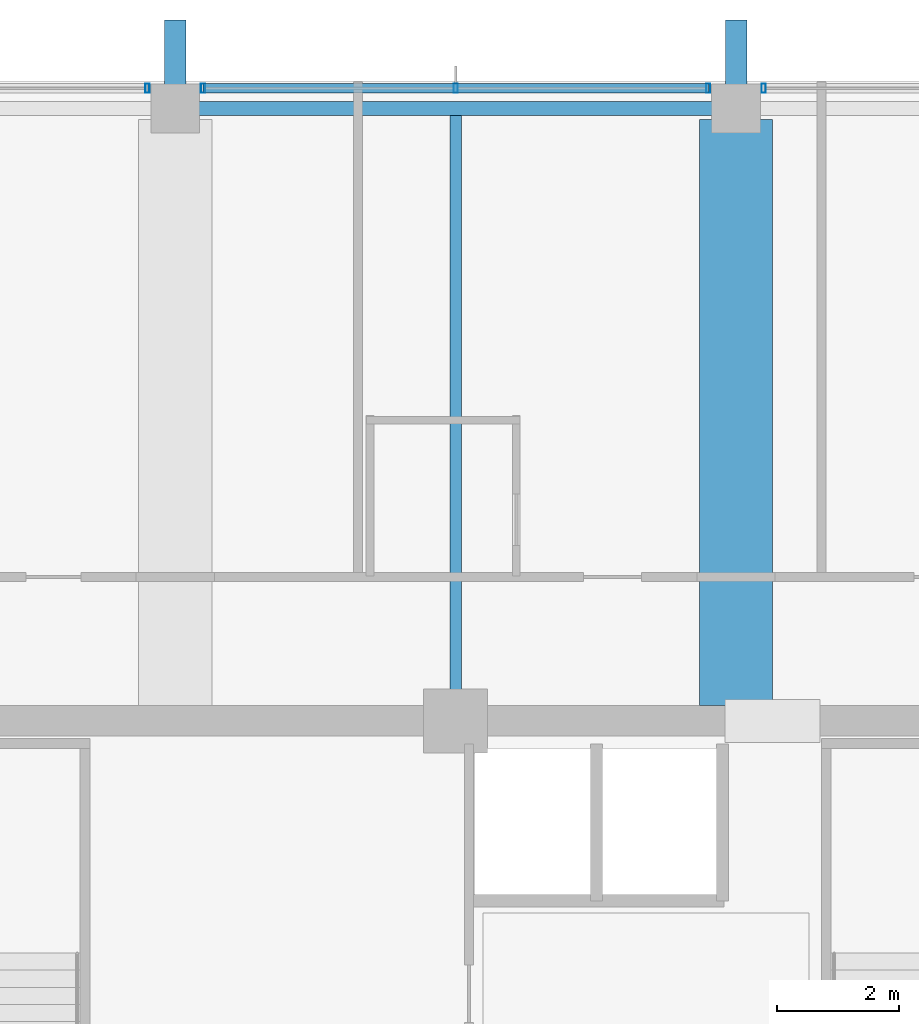
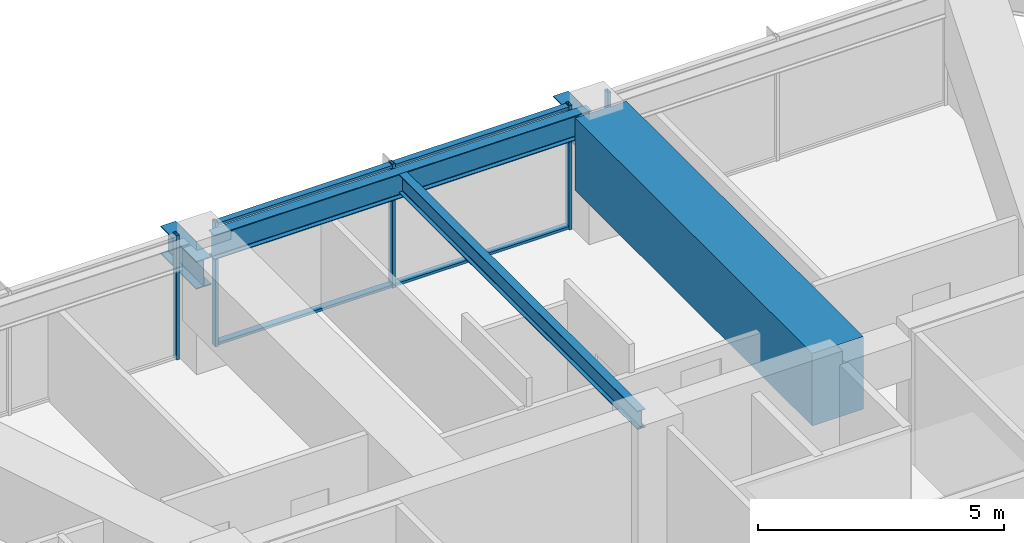
# One storey, part 19 of 35: 7 members, 5 beams, 3 elements without a shape of their own.
"""IFC4 building model written with IfcOpenShell, lengths in metres."""

from ifc_helpers import new_model, si_unit, direction, frame, origin, origin_2d, place, context, subcontext, project, spatial, rectangle, hollow_rectangle, i_section, extrude, material, material_profile, profile_set, type_object, element, aggregate, save


model = new_model("IFC4")

# Units and contexts
model_context = context("Model", 3, precision=1e-05, world=origin(), true_north=direction((0.0, 1.0)))
body_context = subcontext(model_context, "Body", "Model", "MODEL_VIEW")
ifc_project = project(units=[si_unit("LENGTHUNIT", "METRE"), si_unit("AREAUNIT", "SQUARE_METRE"), si_unit("VOLUMEUNIT", "CUBIC_METRE"), si_unit("PLANEANGLEUNIT", "RADIAN"), si_unit("MASSUNIT", "GRAM", prefix="KILO")], contexts=[model_context])

# Site, building, storey
site_placement = place(None, origin())
site = spatial("IfcSite", under=ifc_project, at=site_placement, CompositionType="ELEMENT")
building_placement = place(site_placement, origin())
building = spatial("IfcBuilding", under=site, at=building_placement, Name="Kolvaren Belvedere", CompositionType="ELEMENT")
storey_placement = place(building_placement, frame((0.0, 0.0, 203.10009765625)))
storey = spatial("IfcBuildingStorey", under=building, at=storey_placement, Name="L59", CompositionType="ELEMENT", Elevation=203.10009765625)

# Beams
ifc_material_1 = material(Name="Structural steel ASTM A992 Grade 50", Category="steel")
ifc_material_profile_1 = material_profile(ifc_material_1, i_section(OverallWidth=0.35498046875, OverallDepth=0.696044921875, WebThickness=0.015380859375, FlangeThickness=0.02490234375, FilletRadius=0.02197265625, at=origin_2d()), Name="W27X146")
ifc_profile_set_1 = profile_set([ifc_material_profile_1], Name="Structural steel ASTM A992 Grade 50")
beam_type_1 = type_object("IfcBeamType", Name="BM-CANT-BAL", PredefinedType="BEAM", material=ifc_profile_set_1)
for number, where, z_axis, x_axis, name in (
    (1, (4.60009765625, 19.949951171875, 2.141845703125), (0.0, 1.0, 0.0), (-1.0, 0.0, 0.0), "L59 North Picture-Frame Column Corbel P"),
    (2, (-4.60009765625, 19.949951171875, 2.141845703125), (0.0, 1.0, 0.0), (-1.0, 0.0, 0.0), "L59 North Picture-Frame Column Corbel M"),
):
    element("IfcBeam", number, at=place(storey_placement, frame(where, z_axis=z_axis, x_axis=x_axis)), inside=storey, type_object=beam_type_1, Name=name, PredefinedType="BEAM", context=body_context, shape_type="SweptSolid", body=[
        extrude(i_section(OverallWidth=0.35498046875, OverallDepth=0.696044921875, WebThickness=0.015380859375, FlangeThickness=0.02490234375, FilletRadius=0.02197265625, at=origin_2d()), origin(), (0.0, 0.0, 1.0), 1.449951171875),
    ])
ifc_material_2 = material(Name="Structural steel ASTM A992 Grade 50", Category="steel")
ifc_material_profile_2 = material_profile(ifc_material_2, i_section(OverallWidth=0.19091796875, OverallDepth=0.4599609375, WebThickness=0.010009765625, FlangeThickness=0.01611328125, FilletRadius=0.014892578125, at=origin_2d()), Name="W18X55")
ifc_profile_set_2 = profile_set([ifc_material_profile_2], Name="Structural steel ASTM A992 Grade 50")
beam_type_2 = type_object("IfcBeamType", Name="BM-JOIST-W18X55", PredefinedType="BEAM", material=ifc_profile_set_2)
beam_1_placement = place(storey_placement, frame((0.0, 10.14990234375, 2.849853515625), z_axis=(0.0, 1.0, 0.0), x_axis=(-1.0, 0.0, 0.0)))
element("IfcBeam", 3, at=beam_1_placement, inside=storey, type_object=beam_type_2, Name="L59 North Centre Floor Beam", PredefinedType="BEAM", context=body_context, shape_type="SweptSolid", body=[
    extrude(i_section(OverallWidth=0.19091796875, OverallDepth=0.4599609375, WebThickness=0.010009765625, FlangeThickness=0.01611328125, FilletRadius=0.014892578125, at=origin_2d()), origin(), (0.0, 0.0, 1.0), 9.685546875),
])
ifc_material_3 = material(Name="Structural steel ASTM A992 Grade 50", Category="steel")
ifc_material_profile_3 = material_profile(ifc_material_3, i_section(OverallWidth=0.22900390625, OverallDepth=0.612060546875, WebThickness=0.011962890625, FlangeThickness=0.01953125, FilletRadius=0.01806640625, at=origin_2d()), Name="W24X84")
ifc_profile_set_3 = profile_set([ifc_material_profile_3], Name="Structural steel ASTM A992 Grade 50")
beam_type_3 = type_object("IfcBeamType", Name="BM-SPAN-W24X84", PredefinedType="SPANDREL", material=ifc_profile_set_3)
beam_2_placement = place(storey_placement, frame((4.419921875, 19.949951171875, 2.77392578125), z_axis=(-1.0, 0.0, 0.0), x_axis=(0.0, -1.0, 0.0)))
element("IfcBeam", 4, at=beam_2_placement, inside=storey, type_object=beam_type_3, Name="L59 Perimeter Spandrel N3-N2", PredefinedType="SPANDREL", context=body_context, shape_type="SweptSolid", body=[
    extrude(i_section(OverallWidth=0.22900390625, OverallDepth=0.612060546875, WebThickness=0.011962890625, FlangeThickness=0.01953125, FilletRadius=0.01806640625, at=origin_2d()), origin(), (0.0, 0.0, 1.0), 8.83984375),
])
ifc_material_4 = material(Name="Concrete C50/60", Category="concrete")
ifc_material_profile_4 = material_profile(ifc_material_4, rectangle(XDim=1.199951171875, YDim=1.800048828125, at=origin_2d()), Name="RC 1200X1800")
ifc_profile_set_4 = profile_set([ifc_material_profile_4], Name="Concrete C50/60")
beam_type_4 = type_object("IfcBeamType", Name="BM-TG-1800", PredefinedType="BEAM", material=ifc_profile_set_4)
beam_3_placement = place(storey_placement, frame((4.60009765625, 10.14990234375, 2.179931640625), z_axis=(0.0, 1.0, 0.0), x_axis=(-1.0, 0.0, 0.0)))
element("IfcBeam", 5, at=beam_3_placement, inside=storey, type_object=beam_type_4, Name="L59 North Radial Girder P", PredefinedType="BEAM", context=body_context, shape_type="SweptSolid", body=[
    extrude(rectangle(XDim=1.199951171875, YDim=1.800048828125, at=origin_2d()), origin(), (0.0, 0.0, 1.0), 9.6201171875),
])

# Curtain wall, member
ifc_material_5 = material(Name="Anodised pale-metal aluminium AA 6063-T6", Category="aluminium")
curtain_wall_type = type_object("IfcCurtainWallType", Name="CW-Z5-HIGH", PredefinedType="NOTDEFINED", material=ifc_material_5)
curtain_wall_1_placement = place(storey_placement, origin())
curtain_wall_1 = element("IfcCurtainWall", 6, at=curtain_wall_1_placement, inside=storey, type_object=curtain_wall_type, Name="L59 Unitised Curtain Wall FCW-L59-N-B1", PredefinedType="NOTDEFINED")
ifc_material_6 = material(Name="Anodised pale-metal aluminium AA 6063-T6", Category="aluminium")
ifc_material_profile_5 = material_profile(ifc_material_6, hollow_rectangle(XDim=0.070068359375, YDim=0.14990234375, WallThickness=0.004150390625, at=origin_2d()), Name="ALU-MUL-150X70")
ifc_profile_set_5 = profile_set([ifc_material_profile_5], Name="Anodised pale-metal aluminium AA 6063-T6")
member_type_1 = type_object("IfcMemberType", Name="CW-MUL-150", PredefinedType="MULLION", material=ifc_profile_set_5)
member_1_placement = place(storey_placement, frame((-5.054931640625, 20.280029296875, 0.0), z_axis=(0.0, 0.0, 1.0), x_axis=(1.0, 0.0, 0.0)))
member_1 = element("IfcMember", 7, at=member_1_placement, type_object=member_type_1, Name="FCW-L59-N-B1 Unitised Mullion 3", PredefinedType="MULLION", context=body_context, shape_type="SweptSolid", body=[
    extrude(hollow_rectangle(XDim=0.070068359375, YDim=0.14990234375, WallThickness=0.004150390625, at=origin_2d()), origin(), (0.0, 0.0, 1.0), 3.079833984375),
])
aggregate(curtain_wall_1, [member_1])

# Curtain wall, members
curtain_wall_2_placement = place(storey_placement, origin())
curtain_wall_2 = element("IfcCurtainWall", 8, at=curtain_wall_2_placement, inside=storey, type_object=curtain_wall_type, Name="L59 Unitised Curtain Wall FCW-L59-N-B2", PredefinedType="NOTDEFINED")
member_2_placement = place(storey_placement, frame((-4.14501953125, 20.280029296875, 0.0), z_axis=(0.0, 0.0, 1.0), x_axis=(1.0, 0.0, 0.0)))
member_2 = element("IfcMember", 9, at=member_2_placement, type_object=member_type_1, Name="FCW-L59-N-B2 Unitised Mullion 1", PredefinedType="MULLION", context=body_context, shape_type="SweptSolid", body=[
    extrude(hollow_rectangle(XDim=0.070068359375, YDim=0.14990234375, WallThickness=0.004150390625, at=origin_2d()), origin(), (0.0, 0.0, 1.0), 3.079833984375),
])
member_3_placement = place(storey_placement, frame((0.0, 20.280029296875, 0.0), z_axis=(0.0, 0.0, 1.0), x_axis=(1.0, 0.0, 0.0)))
member_3 = element("IfcMember", 10, at=member_3_placement, type_object=member_type_1, Name="FCW-L59-N-B2 Unitised Mullion 2", PredefinedType="MULLION", context=body_context, shape_type="SweptSolid", body=[
    extrude(hollow_rectangle(XDim=0.070068359375, YDim=0.14990234375, WallThickness=0.004150390625, at=origin_2d()), origin(), (0.0, 0.0, 1.0), 3.079833984375),
])
member_4_placement = place(storey_placement, frame((4.14501953125, 20.280029296875, 0.0), z_axis=(0.0, 0.0, 1.0), x_axis=(1.0, 0.0, 0.0)))
member_4 = element("IfcMember", 11, at=member_4_placement, type_object=member_type_1, Name="FCW-L59-N-B2 Unitised Mullion 3", PredefinedType="MULLION", context=body_context, shape_type="SweptSolid", body=[
    extrude(hollow_rectangle(XDim=0.070068359375, YDim=0.14990234375, WallThickness=0.004150390625, at=origin_2d()), origin(), (0.0, 0.0, 1.0), 3.079833984375),
])

# Curtain wall, member
curtain_wall_3_placement = place(storey_placement, origin())
curtain_wall_3 = element("IfcCurtainWall", 12, at=curtain_wall_3_placement, inside=storey, type_object=curtain_wall_type, Name="L59 Unitised Curtain Wall FCW-L59-N-B3", PredefinedType="NOTDEFINED")
member_5_placement = place(storey_placement, frame((5.054931640625, 20.280029296875, 0.0), z_axis=(0.0, 0.0, 1.0), x_axis=(1.0, 0.0, 0.0)))
member_5 = element("IfcMember", 13, at=member_5_placement, type_object=member_type_1, Name="FCW-L59-N-B3 Unitised Mullion 1", PredefinedType="MULLION", context=body_context, shape_type="SweptSolid", body=[
    extrude(hollow_rectangle(XDim=0.070068359375, YDim=0.14990234375, WallThickness=0.004150390625, at=origin_2d()), origin(), (0.0, 0.0, 1.0), 3.079833984375),
])
aggregate(curtain_wall_3, [member_5])

# Member
ifc_material_7 = material(Name="Anodised pale-metal aluminium AA 6063-T6", Category="aluminium")
ifc_material_profile_6 = material_profile(ifc_material_7, hollow_rectangle(XDim=0.06494140625, YDim=0.14990234375, WallThickness=0.00390625, at=origin_2d()), Name="ALU-TRN-150X65")
ifc_profile_set_6 = profile_set([ifc_material_profile_6], Name="Anodised pale-metal aluminium AA 6063-T6")
member_type_2 = type_object("IfcMemberType", Name="CW-TRN-150", PredefinedType="USERDEFINED", material=ifc_profile_set_6)
member_6_placement = place(storey_placement, frame((-4.14501953125, 20.280029296875, 0.059814453125), z_axis=(1.0, 0.0, 0.0), x_axis=(0.0, 0.0, 1.0)))
member_6 = element("IfcMember", 14, at=member_6_placement, type_object=member_type_2, Name="FCW-L59-N-B2 Sill Transom", ObjectType="TRANSOM", PredefinedType="USERDEFINED", context=body_context, shape_type="SweptSolid", body=[
    extrude(hollow_rectangle(XDim=0.06494140625, YDim=0.14990234375, WallThickness=0.00390625, at=origin_2d()), origin(), (0.0, 0.0, 1.0), 8.2900390625),
])

member_7_placement = place(storey_placement, frame((-4.14501953125, 20.280029296875, 3.02001953125), z_axis=(1.0, 0.0, 0.0), x_axis=(0.0, 0.0, 1.0)))
member_7 = element("IfcMember", 15, at=member_7_placement, type_object=member_type_2, Name="FCW-L59-N-B2 Head Transom", ObjectType="TRANSOM", PredefinedType="USERDEFINED", context=body_context, shape_type="SweptSolid", body=[
    extrude(hollow_rectangle(XDim=0.06494140625, YDim=0.14990234375, WallThickness=0.00390625, at=origin_2d()), origin(), (0.0, 0.0, 1.0), 8.2900390625),
])

aggregate(curtain_wall_2, [member_2, member_3, member_4, member_6, member_7])

save(model, "model.ifc")
